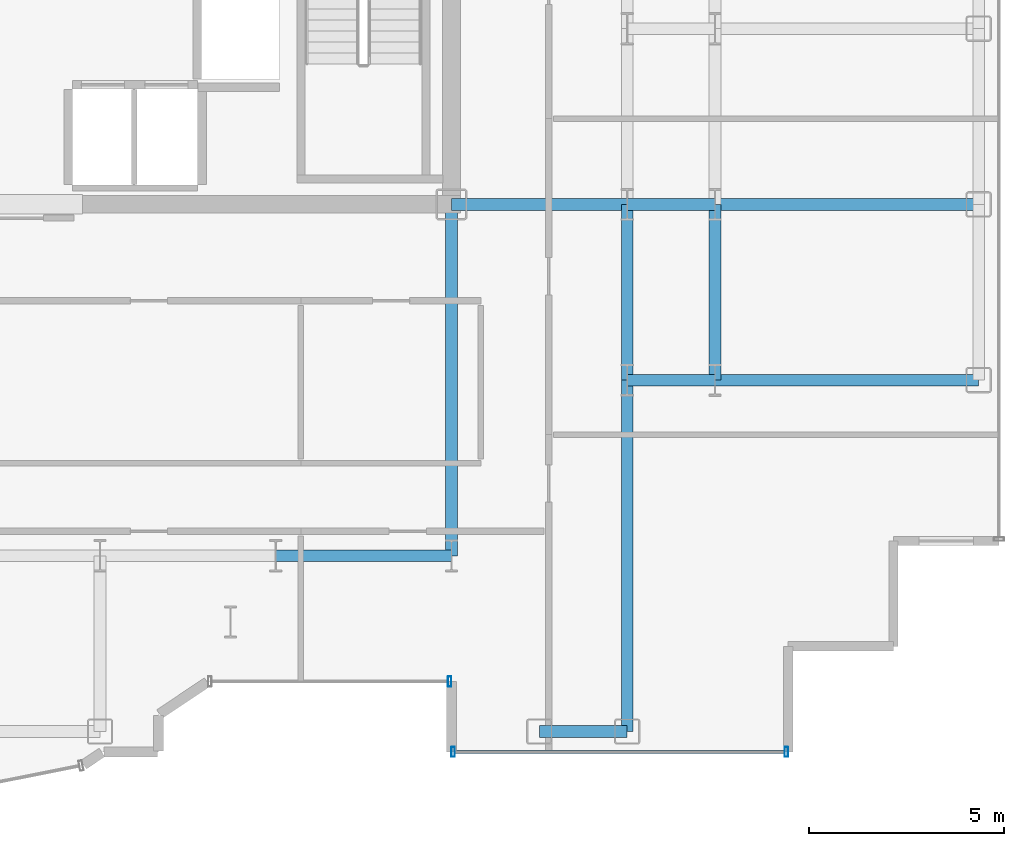
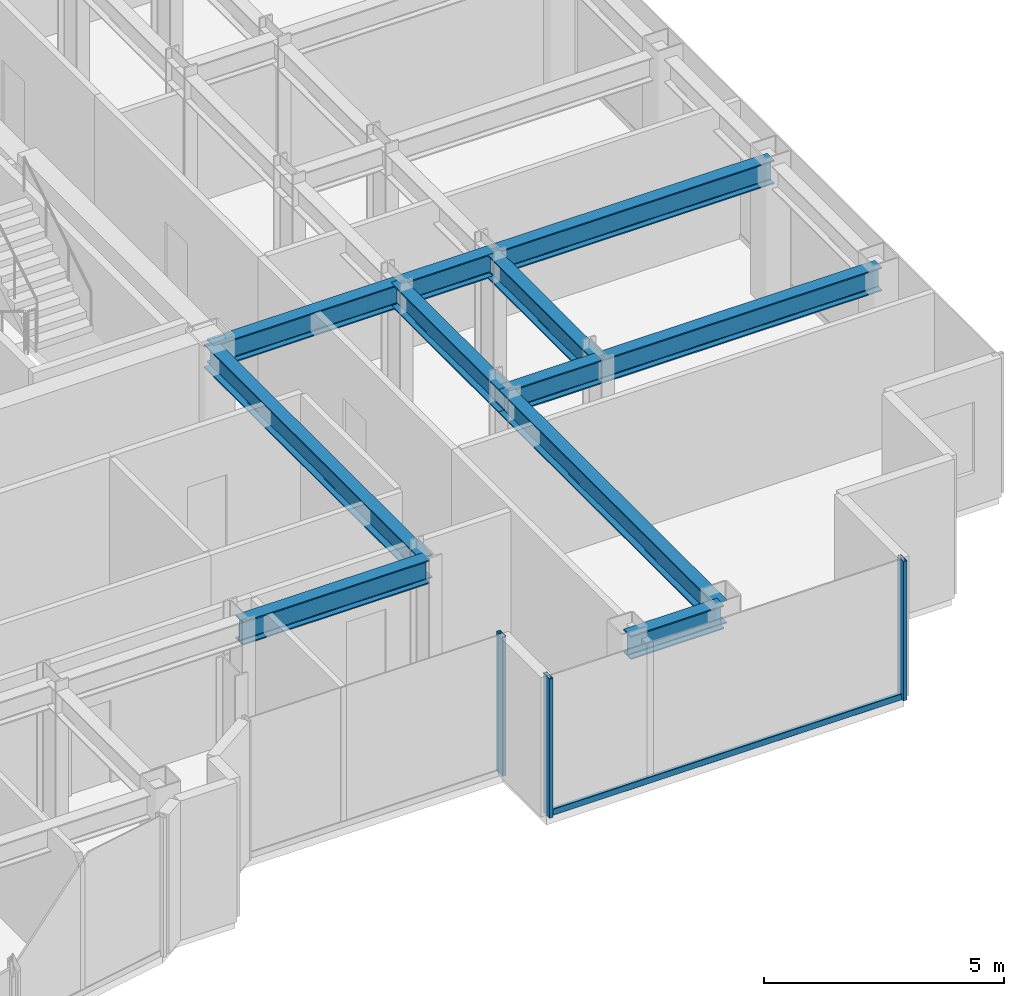
# One storey, part 5 of 20: 11 beams, 4 members, 2 elements without a shape of their own.
"""IFC4 building model written with IfcOpenShell, lengths in metres."""

from ifc_helpers import new_model, si_unit, direction, frame, origin, origin_2d, place, context, subcontext, project, spatial, hollow_rectangle, i_section, extrude, source, transform, mapped, material, layer, layer_set, material_profile, profile_set, type_object, element, aggregate, save


model = new_model("IFC4")

# Units and contexts
model_context = context("Model", 3, precision=1e-05, world=origin(), true_north=direction((0.0, 1.0)))
body_context = subcontext(model_context, "Body", "Model", "MODEL_VIEW")
ifc_project = project(units=[si_unit("LENGTHUNIT", "METRE"), si_unit("AREAUNIT", "SQUARE_METRE"), si_unit("VOLUMEUNIT", "CUBIC_METRE"), si_unit("PLANEANGLEUNIT", "RADIAN"), si_unit("MASSUNIT", "GRAM", prefix="KILO")], contexts=[model_context])

# Site, building, storey
site_placement = place(None, origin())
site = spatial("IfcSite", under=ifc_project, at=site_placement, CompositionType="ELEMENT")
building_placement = place(site_placement, origin())
building = spatial("IfcBuilding", under=site, at=building_placement, Name="Nefas-Gora Pilgrimage Tower", CompositionType="ELEMENT")
storey_placement = place(building_placement, frame((0.0, 0.0, 214.199951171875)))
storey = spatial("IfcBuildingStorey", under=building, at=storey_placement, Name="L53", CompositionType="ELEMENT", Elevation=214.199951171875)

# Beams
ifc_material_1 = material(Name="Steel S355", Category="steel")
ifc_material_profile_1 = material_profile(ifc_material_1, i_section(OverallWidth=0.300048828125, OverallDepth=0.60009765625, WebThickness=0.015380859375, FlangeThickness=0.030029296875, FilletRadius=0.027099609375, at=origin_2d()), Name="HEB 600")
ifc_profile_set_1 = profile_set([ifc_material_profile_1], Name="Steel S355")
beam_type_1 = type_object("IfcBeamType", Name="BM-GIR-HEB600", PredefinedType="BEAM", material=ifc_profile_set_1)
shared_shape_1 = source(origin(), body_context, "Body", "SweptSolid", [
    extrude(i_section(OverallWidth=0.300048828125, OverallDepth=0.60009765625, WebThickness=0.015380859375, FlangeThickness=0.030029296875, FilletRadius=0.027099609375, at=origin_2d()), origin(), (0.0, 0.0, 1.0), 9.0),
])
for number, where, z_axis, x_axis, name in (
    (1, (11.25, -18.0, 3.25), (0.0, 1.0, 0.0), (-1.0, 0.0, 0.0), "L53 G-04 beam"),
    (2, (15.75, -22.5, 3.25), (0.0, 1.0, 0.0), (-1.0, 0.0, 0.0), "L53 G-04 beam"),
):
    element("IfcBeam", number, at=place(storey_placement, frame(where, z_axis=z_axis, x_axis=x_axis)), inside=storey, type_object=beam_type_1, Name=name, PredefinedType="BEAM", context=body_context, shape_type="MappedRepresentation", body=[
        mapped(shared_shape_1, transform((0.0, 0.0, 0.0), x_axis=(1.0, 0.0, 0.0), y_axis=(0.0, 1.0, 0.0), z_axis=(0.0, 0.0, 1.0), scale=1.0)),
    ])
shared_shape_2 = source(origin(), body_context, "Body", "SweptSolid", [
    extrude(i_section(OverallWidth=0.300048828125, OverallDepth=0.60009765625, WebThickness=0.015380859375, FlangeThickness=0.030029296875, FilletRadius=0.027099609375, at=origin_2d()), origin(), (0.0, 0.0, 1.0), 4.5),
])
for number, where, z_axis, x_axis, name in (
    (3, (6.75, -18.0, 3.25), (1.0, 0.0, 0.0), (0.0, 1.0, 0.0), "L53 G-04 beam"),
    (4, (11.25, -9.0, 3.25), (1.0, 0.0, 0.0), (0.0, 1.0, 0.0), "L53 G-04 beam"),
    (5, (15.75, -13.5, 3.25), (0.0, 1.0, 0.0), (-1.0, 0.0, 0.0), "L53 G-04 beam"),
    (6, (18.0, -13.5, 3.25), (0.0, 1.0, 0.0), (-1.0, 0.0, 0.0), "L53 G-04 beam"),
):
    element("IfcBeam", number, at=place(storey_placement, frame(where, z_axis=z_axis, x_axis=x_axis)), inside=storey, type_object=beam_type_1, Name=name, PredefinedType="BEAM", context=body_context, shape_type="MappedRepresentation", body=[
        mapped(shared_shape_2, transform((0.0, 0.0, 0.0), x_axis=(1.0, 0.0, 0.0), y_axis=(0.0, 1.0, 0.0), z_axis=(0.0, 0.0, 1.0), scale=1.0)),
    ])
shared_shape_3 = source(origin(), body_context, "Body", "SweptSolid", [
    extrude(i_section(OverallWidth=0.300048828125, OverallDepth=0.60009765625, WebThickness=0.015380859375, FlangeThickness=0.030029296875, FilletRadius=0.027099609375, at=origin_2d()), origin(), (0.0, 0.0, 1.0), 6.75),
])
for number, where, z_axis, x_axis, name in (
    (7, (18.0, -13.5, 3.25), (1.0, 0.0, 0.0), (0.0, 1.0, 0.0), "L53 G-04 beam"),
    (8, (18.0, -9.0, 3.25), (1.0, 0.0, 0.0), (0.0, 1.0, 0.0), "L53 G-04 beam"),
):
    element("IfcBeam", number, at=place(storey_placement, frame(where, z_axis=z_axis, x_axis=x_axis)), inside=storey, type_object=beam_type_1, Name=name, PredefinedType="BEAM", context=body_context, shape_type="MappedRepresentation", body=[
        mapped(shared_shape_3, transform((0.0, 0.0, 0.0), x_axis=(1.0, 0.0, 0.0), y_axis=(0.0, 1.0, 0.0), z_axis=(0.0, 0.0, 1.0), scale=1.0)),
    ])
ifc_material_profile_2 = material_profile(ifc_material_1, i_section(OverallWidth=0.300048828125, OverallDepth=0.60009765625, WebThickness=0.015380859375, FlangeThickness=0.030029296875, FilletRadius=0.027099609375, at=origin_2d()), Name="HEB 600")
ifc_profile_set_2 = profile_set([ifc_material_profile_2], Name="Steel S355")
beam_type_2 = type_object("IfcBeamType", Name="BM-SPN-HEB450", PredefinedType="SPANDREL", material=ifc_profile_set_2)
shared_shape_4 = source(origin(), body_context, "Body", "SweptSolid", [
    extrude(i_section(OverallWidth=0.300048828125, OverallDepth=0.60009765625, WebThickness=0.015380859375, FlangeThickness=0.030029296875, FilletRadius=0.027099609375, at=origin_2d()), origin(), (0.0, 0.0, 1.0), 2.25),
])
beam_placement = place(storey_placement, frame((13.5, -22.5, 3.25), z_axis=(1.0, 0.0, 0.0), x_axis=(0.0, 1.0, 0.0)))
element("IfcBeam", 9, at=beam_placement, inside=storey, type_object=beam_type_2, Name="L53 SP-03 beam", PredefinedType="SPANDREL", context=body_context, shape_type="MappedRepresentation", body=[
    mapped(shared_shape_4, transform((0.0, 0.0, 0.0), x_axis=(1.0, 0.0, 0.0), y_axis=(0.0, 1.0, 0.0), z_axis=(0.0, 0.0, 1.0), scale=1.0)),
])
shared_shape_5 = source(origin(), body_context, "Body", "SweptSolid", [
    extrude(i_section(OverallWidth=0.300048828125, OverallDepth=0.60009765625, WebThickness=0.015380859375, FlangeThickness=0.030029296875, FilletRadius=0.027099609375, at=origin_2d()), origin(), (0.0, 0.0, 1.0), 2.25),
])
for number, where, z_axis, x_axis, name in (
    (10, (15.75, -13.5, 3.25), (1.0, 0.0, 0.0), (0.0, 1.0, 0.0), "L53 G-04 beam"),
    (11, (15.75, -9.0, 3.25), (1.0, 0.0, 0.0), (0.0, 1.0, 0.0), "L53 G-04 beam"),
):
    element("IfcBeam", number, at=place(storey_placement, frame(where, z_axis=z_axis, x_axis=x_axis)), inside=storey, type_object=beam_type_1, Name=name, PredefinedType="BEAM", context=body_context, shape_type="MappedRepresentation", body=[
        mapped(shared_shape_5, transform((0.0, 0.0, 0.0), x_axis=(1.0, 0.0, 0.0), y_axis=(0.0, 1.0, 0.0), z_axis=(0.0, 0.0, 1.0), scale=1.0)),
    ])

# Curtain wall, member
ifc_material_2 = material(Name="Dark ceramic-fritted solar-control aluminium-glass curtain wall", Category="aluminium")
ifc_layer_1 = layer(ifc_material_2, 0.219970703125)
ifc_layer_set_1 = layer_set([ifc_layer_1], Name="Dark ceramic-fritted solar-control aluminium-glass curtain wall")
curtain_wall_type_1 = type_object("IfcCurtainWallType", Name="CW-SYS-5", PredefinedType="NOTDEFINED", material=ifc_layer_set_1)
curtain_wall_1_placement = place(storey_placement, origin())
curtain_wall_1 = element("IfcCurtainWall", 12, at=curtain_wall_1_placement, inside=storey, type_object=curtain_wall_type_1, Name="L53 Unitised Curtain Wall CW5", PredefinedType="NOTDEFINED")
ifc_material_3 = material(Name="Anodised architectural aluminium", Category="aluminium")
ifc_material_profile_3 = material_profile(ifc_material_3, hollow_rectangle(XDim=0.090087890625, YDim=0.260009765625, WallThickness=0.006103515625, InnerFilletRadius=0.006103515625, OuterFilletRadius=0.011962890625, at=origin_2d()), Name="ALU MULLION 90x260")
ifc_profile_set_3 = profile_set([ifc_material_profile_3], Name="Anodised architectural aluminium")
member_type_1 = type_object("IfcMemberType", Name="CWM-MUL-5", PredefinedType="MULLION", material=ifc_profile_set_3)
shared_shape_6 = source(origin(), body_context, "Body", "SweptSolid", [
    extrude(hollow_rectangle(XDim=0.090087890625, YDim=0.260009765625, WallThickness=0.006103515625, InnerFilletRadius=0.006103515625, OuterFilletRadius=0.011962890625, at=origin_2d()), origin(), (0.0, 0.0, 1.0), 3.550048828125),
])
member_1_placement = place(storey_placement, frame((11.205078125, -21.219970703125, 0.0), z_axis=(0.0, 0.0, 1.0), x_axis=(1.0, 0.0, 0.0)))
member_1 = element("IfcMember", 13, at=member_1_placement, type_object=member_type_1, Name="CW5 Mullion 2", PredefinedType="MULLION", context=body_context, shape_type="MappedRepresentation", body=[
    mapped(shared_shape_6, transform((0.0, 0.0, 0.0), x_axis=(1.0, 0.0, 0.0), y_axis=(0.0, 1.0, 0.0), z_axis=(0.0, 0.0, 1.0), scale=1.0)),
])
aggregate(curtain_wall_1, [member_1])

# Curtain wall, members
ifc_layer_2 = layer(ifc_material_2, 0.219970703125)
ifc_layer_set_2 = layer_set([ifc_layer_2], Name="Dark ceramic-fritted solar-control aluminium-glass curtain wall")
curtain_wall_type_2 = type_object("IfcCurtainWallType", Name="CW-SYS-3", PredefinedType="NOTDEFINED", material=ifc_layer_set_2)
curtain_wall_2_placement = place(storey_placement, origin())
curtain_wall_2 = element("IfcCurtainWall", 14, at=curtain_wall_2_placement, inside=storey, type_object=curtain_wall_type_2, Name="L53 Unitised Curtain Wall CW3", PredefinedType="NOTDEFINED")
ifc_material_profile_4 = material_profile(ifc_material_3, hollow_rectangle(XDim=0.090087890625, YDim=0.260009765625, WallThickness=0.006103515625, InnerFilletRadius=0.006103515625, OuterFilletRadius=0.011962890625, at=origin_2d()), Name="ALU MULLION 90x260")
ifc_profile_set_4 = profile_set([ifc_material_profile_4], Name="Anodised architectural aluminium")
member_type_2 = type_object("IfcMemberType", Name="CWM-MUL-3", PredefinedType="MULLION", material=ifc_profile_set_4)
shared_shape_7 = source(origin(), body_context, "Body", "SweptSolid", [
    extrude(hollow_rectangle(XDim=0.090087890625, YDim=0.260009765625, WallThickness=0.006103515625, InnerFilletRadius=0.006103515625, OuterFilletRadius=0.011962890625, at=origin_2d()), origin(), (0.0, 0.0, 1.0), 3.550048828125),
])
member_2_placement = place(storey_placement, frame((11.294921875, -23.02001953125, 0.0), z_axis=(0.0, 0.0, 1.0), x_axis=(1.0, 0.0, 0.0)))
member_2 = element("IfcMember", 15, at=member_2_placement, type_object=member_type_2, Name="CW3 Mullion 1", PredefinedType="MULLION", context=body_context, shape_type="MappedRepresentation", body=[
    mapped(shared_shape_7, transform((0.0, 0.0, 0.0), x_axis=(1.0, 0.0, 0.0), y_axis=(0.0, 1.0, 0.0), z_axis=(0.0, 0.0, 1.0), scale=1.0)),
])
member_3_placement = place(storey_placement, frame((19.824951171875, -23.02001953125, 0.0), z_axis=(0.0, 0.0, 1.0), x_axis=(1.0, 0.0, 0.0)))
member_3 = element("IfcMember", 16, at=member_3_placement, type_object=member_type_2, Name="CW3 Mullion 2", PredefinedType="MULLION", context=body_context, shape_type="MappedRepresentation", body=[
    mapped(shared_shape_7, transform((0.0, 0.0, 0.0), x_axis=(1.0, 0.0, 0.0), y_axis=(0.0, 1.0, 0.0), z_axis=(0.0, 0.0, 1.0), scale=1.0)),
])
ifc_material_profile_5 = material_profile(ifc_material_3, hollow_rectangle(XDim=0.080078125, YDim=0.159912109375, WallThickness=0.00439453125, InnerFilletRadius=0.00439453125, OuterFilletRadius=0.009033203125, at=origin_2d()), Name="ALU TRANSOM 80x160")
ifc_profile_set_5 = profile_set([ifc_material_profile_5], Name="Anodised architectural aluminium")
member_type_3 = type_object("IfcMemberType", Name="CWM-TRN-3", PredefinedType="USERDEFINED", material=ifc_profile_set_5)
shared_shape_8 = source(origin(), body_context, "Body", "SweptSolid", [
    extrude(hollow_rectangle(XDim=0.080078125, YDim=0.159912109375, WallThickness=0.00439453125, InnerFilletRadius=0.00439453125, OuterFilletRadius=0.009033203125, at=origin_2d()), origin(), (0.0, 0.0, 1.0), 8.43994140625),
])
member_4_placement = place(storey_placement, frame((11.340087890625, -23.02001953125, 0.050048828125), z_axis=(1.0, 0.0, 0.0), x_axis=(0.0, 1.0, 0.0)))
member_4 = element("IfcMember", 17, at=member_4_placement, type_object=member_type_3, Name="CW3 Spandrel Transom", ObjectType="TRANSOM", PredefinedType="USERDEFINED", context=body_context, shape_type="MappedRepresentation", body=[
    mapped(shared_shape_8, transform((0.0, 0.0, 0.0), x_axis=(1.0, 0.0, 0.0), y_axis=(0.0, 1.0, 0.0), z_axis=(0.0, 0.0, 1.0), scale=1.0)),
])
aggregate(curtain_wall_2, [member_2, member_3, member_4])

save(model, "model.ifc")
